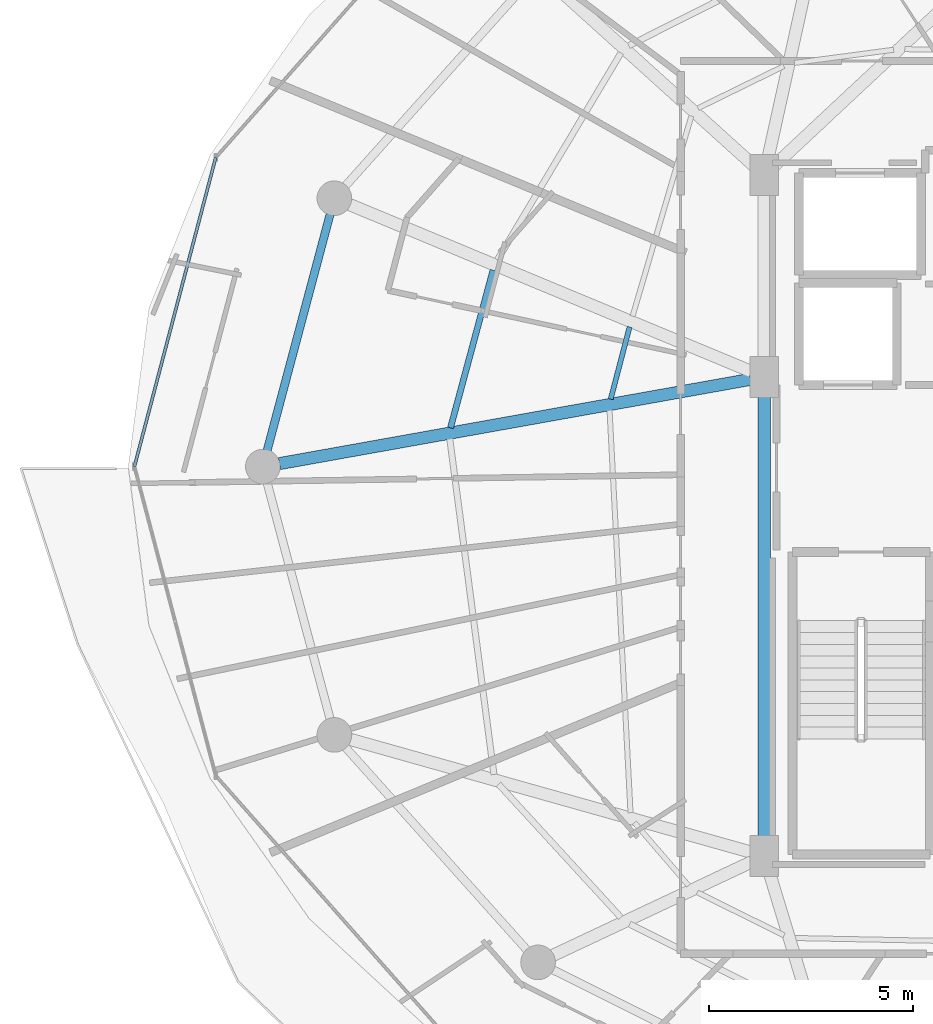
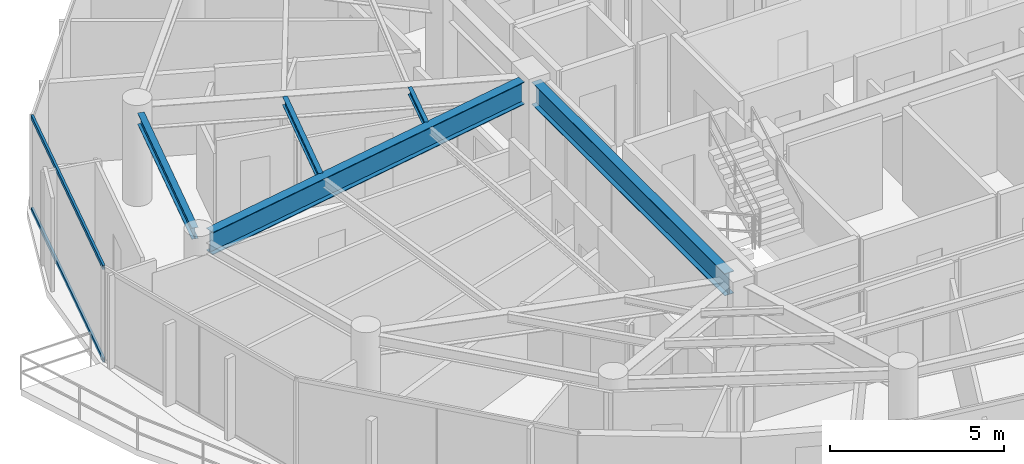
# One storey, part 8 of 30: 5 beams, 2 members, 1 element without a shape of its own.
"""IFC4 building model written with IfcOpenShell, lengths in metres."""

from ifc_helpers import new_model, si_unit, direction, frame, origin, origin_2d, place, context, subcontext, project, spatial, hollow_rectangle, i_section, extrude, material, material_profile, profile_set, type_object, element, aggregate, save


model = new_model("IFC4")

# Units and contexts
model_context = context("Model", 3, precision=1e-05, world=origin(), true_north=direction((0.0, 1.0)))
body_context = subcontext(model_context, "Body", "Model", "MODEL_VIEW")
ifc_project = project(units=[si_unit("LENGTHUNIT", "METRE"), si_unit("AREAUNIT", "SQUARE_METRE"), si_unit("VOLUMEUNIT", "CUBIC_METRE"), si_unit("PLANEANGLEUNIT", "RADIAN"), si_unit("MASSUNIT", "GRAM", prefix="KILO")], contexts=[model_context])

# Site, building, storey
site_placement = place(None, origin())
site = spatial("IfcSite", under=ifc_project, at=site_placement, CompositionType="ELEMENT")
building_placement = place(site_placement, origin())
building = spatial("IfcBuilding", under=site, at=building_placement, Name="Vorneva Point Tower", CompositionType="ELEMENT")
storey_placement = place(building_placement, frame((0.0, 0.0, 252.0)))
storey = spatial("IfcBuildingStorey", under=building, at=storey_placement, Name="L68", CompositionType="ELEMENT", Elevation=252.0)

# Beams
ifc_material_1 = material(Name="Steel S355", Category="steel")
ifc_material_profile_1 = material_profile(ifc_material_1, i_section(OverallWidth=0.300048828125, OverallDepth=0.7880859375, WebThickness=0.014404296875, FlangeThickness=0.02197265625, at=origin_2d()), Name="80Sh1")
ifc_profile_set_1 = profile_set([ifc_material_profile_1], Name="Steel S355")
beam_type_1 = type_object("IfcBeamType", Name="BM-GRD-80Sh1", PredefinedType="USERDEFINED", material=ifc_profile_set_1)
beam_1_placement = place(storey_placement, frame((15.3564453125, 26.07275390625, 2.89599609375), z_axis=(0.9843788355, 0.17606336422, 0.0), x_axis=(-0.17606336422, 0.9843788355, 0.0)))
element("IfcBeam", 1, at=beam_1_placement, inside=storey, type_object=beam_type_1, Name="L68 Radial Primary Girder 09", ObjectType="GIRDER", PredefinedType="USERDEFINED", context=body_context, shape_type="SweptSolid", body=[
    extrude(i_section(OverallWidth=0.300048828125, OverallDepth=0.7880859375, WebThickness=0.014404296875, FlangeThickness=0.02197265625, at=origin_2d()), origin(), (0.0, 0.0, 1.0), 11.7421875),
])
beam_2_placement = place(storey_placement, frame((27.25, 16.77001953125, 2.89599609375), z_axis=(0.0, 1.0, 0.0), x_axis=(-1.0, 0.0, 0.0)))
element("IfcBeam", 2, at=beam_2_placement, inside=storey, type_object=beam_type_1, Name="L68 Core Tie Girder CT1", ObjectType="GIRDER", PredefinedType="USERDEFINED", context=body_context, shape_type="SweptSolid", body=[
    extrude(i_section(OverallWidth=0.300048828125, OverallDepth=0.7880859375, WebThickness=0.014404296875, FlangeThickness=0.02197265625, at=origin_2d()), origin(), (0.0, 0.0, 1.0), 11.10986328125),
])
ifc_material_profile_2 = material_profile(ifc_material_1, i_section(OverallWidth=0.1240234375, OverallDepth=0.248046875, WebThickness=0.0048828125, FlangeThickness=0.008056640625, at=origin_2d()), Name="25B1")
ifc_profile_set_2 = profile_set([ifc_material_profile_2], Name="Steel S355")
beam_type_2 = type_object("IfcBeamType", Name="BM-JST-25B1", PredefinedType="JOIST", material=ifc_profile_set_2)
beam_3_placement = place(storey_placement, frame((23.946044921875, 29.425048828125, 3.166015625), z_axis=(-0.253029664065, -0.967458520611, 0.0), x_axis=(0.967458520611, -0.253029664065, 0.0)))
element("IfcBeam", 3, at=beam_3_placement, inside=storey, type_object=beam_type_2, Name="L68 Secondary Floor Beam 2.08", PredefinedType="JOIST", context=body_context, shape_type="SweptSolid", body=[
    extrude(i_section(OverallWidth=0.1240234375, OverallDepth=0.248046875, WebThickness=0.0048828125, FlangeThickness=0.008056640625, at=origin_2d()), origin(), (0.0, 0.0, 1.0), 1.831298828125),
])
ifc_material_profile_3 = material_profile(ifc_material_1, i_section(OverallWidth=0.14892578125, OverallDepth=0.298095703125, WebThickness=0.005615234375, FlangeThickness=0.008056640625, at=origin_2d()), Name="30B1")
ifc_profile_set_3 = profile_set([ifc_material_profile_3], Name="Steel S355")
beam_type_3 = type_object("IfcBeamType", Name="BM-JST-30B1", PredefinedType="JOIST", material=ifc_profile_set_3)
beam_4_placement = place(storey_placement, frame((20.59619140625, 30.81689453125, 3.14111328125), z_axis=(-0.260310139159, -0.965525054802, 0.0), x_axis=(0.965525054802, -0.260310139159, 0.0)))
element("IfcBeam", 4, at=beam_4_placement, inside=storey, type_object=beam_type_3, Name="L68 Secondary Floor Beam 1.08", PredefinedType="JOIST", context=body_context, shape_type="SweptSolid", body=[
    extrude(i_section(OverallWidth=0.14892578125, OverallDepth=0.298095703125, WebThickness=0.005615234375, FlangeThickness=0.008056640625, at=origin_2d()), origin(), (0.0, 0.0, 1.0), 4.0048828125),
])
ifc_material_profile_4 = material_profile(ifc_material_1, i_section(OverallWidth=0.198974609375, OverallDepth=0.39599609375, WebThickness=0.007080078125, FlangeThickness=0.010986328125, at=origin_2d()), Name="40B1")
ifc_profile_set_4 = profile_set([ifc_material_profile_4], Name="Steel S355")
beam_type_4 = type_object("IfcBeamType", Name="BM-SPN-40B1", PredefinedType="SPANDREL", material=ifc_profile_set_4)
beam_5_placement = place(storey_placement, frame((16.59912109375, 32.18603515625, 3.092041015625), z_axis=(-0.257586570866, -0.966255224312, 0.0), x_axis=(0.966255224312, -0.257586570866, 0.0)))
element("IfcBeam", 5, at=beam_5_placement, inside=storey, type_object=beam_type_4, Name="L68 Perimeter Spandrel Ring Beam 08", PredefinedType="SPANDREL", context=body_context, shape_type="SweptSolid", body=[
    extrude(i_section(OverallWidth=0.198974609375, OverallDepth=0.39599609375, WebThickness=0.007080078125, FlangeThickness=0.010986328125, at=origin_2d()), origin(), (0.0, 0.0, 1.0), 5.991943359375),
])

# Curtain wall, members
ifc_material_2 = material(Name="Pale anodised aluminium", Category="aluminium")
curtain_wall_type = type_object("IfcCurtainWallType", Name="CW-RES-SYS", PredefinedType="NOTDEFINED", material=ifc_material_2)
curtain_wall_placement = place(storey_placement, origin())
curtain_wall = element("IfcCurtainWall", 6, at=curtain_wall_placement, inside=storey, type_object=curtain_wall_type, Name="L68 Unitised Curtain Wall CW-L68-R03", PredefinedType="NOTDEFINED")
ifc_material_profile_5 = material_profile(ifc_material_2, hollow_rectangle(XDim=0.074951171875, YDim=0.14990234375, WallThickness=0.00390625, at=origin_2d()), Name="AL-TRN 150x75x4")
ifc_profile_set_5 = profile_set([ifc_material_profile_5], Name="Pale anodised aluminium")
member_type = type_object("IfcMemberType", Name="CW-TRN-150", PredefinedType="USERDEFINED", material=ifc_profile_set_5)
member_1_placement = place(storey_placement, frame((13.79443359375, 33.5810546875, 0.02001953125), z_axis=(-0.254418180926, -0.967094302131, 0.0), x_axis=(0.967094302131, -0.254418180926, 0.0)))
member_1 = element("IfcMember", 7, at=member_1_placement, type_object=member_type, Name="CW-L68-R03 Transom 02.1", ObjectType="TRANSOM", PredefinedType="USERDEFINED", context=body_context, shape_type="SweptSolid", body=[
    extrude(hollow_rectangle(XDim=0.074951171875, YDim=0.14990234375, WallThickness=0.00390625, at=origin_2d()), origin(), (0.0, 0.0, 1.0), 7.839111328125),
])
member_2_placement = place(storey_placement, frame((13.79443359375, 33.5810546875, 3.27001953125), z_axis=(-0.254418180926, -0.967094302131, 0.0), x_axis=(0.967094302131, -0.254418180926, 0.0)))
member_2 = element("IfcMember", 8, at=member_2_placement, type_object=member_type, Name="CW-L68-R03 Transom 02.2", ObjectType="TRANSOM", PredefinedType="USERDEFINED", context=body_context, shape_type="SweptSolid", body=[
    extrude(hollow_rectangle(XDim=0.074951171875, YDim=0.14990234375, WallThickness=0.00390625, at=origin_2d()), origin(), (0.0, 0.0, 1.0), 7.839111328125),
])
aggregate(curtain_wall, [member_1, member_2])

save(model, "model.ifc")
